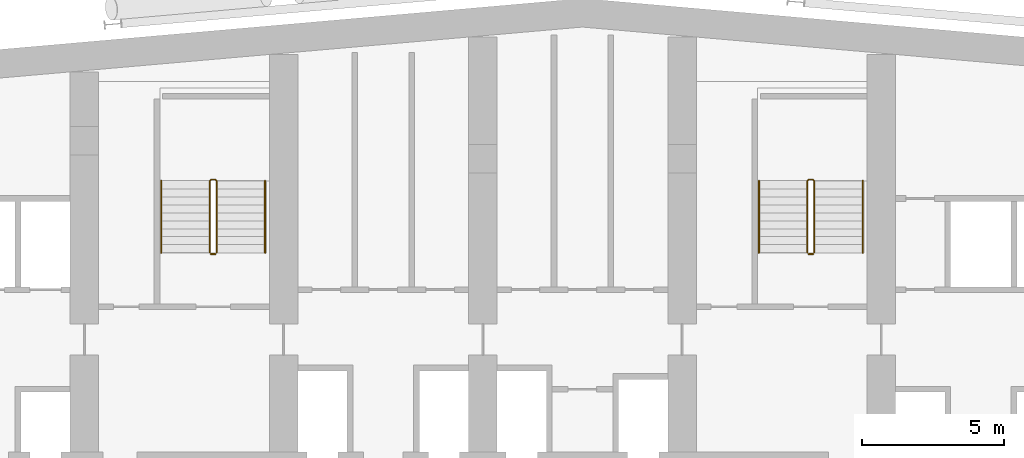
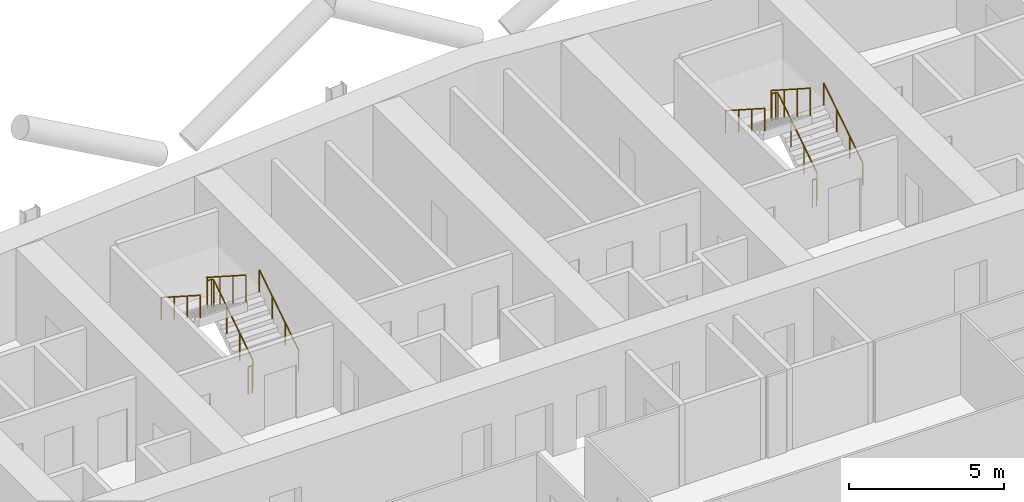
# One storey, part 26 of 27: 8 railings.
"""IFC4 building model written with IfcOpenShell, lengths in metres."""

from ifc_helpers import new_model, si_unit, direction, frame, origin, origin_2d, place, context, subcontext, project, spatial, circle, extrude, material, type_object, element, save


model = new_model("IFC4")

# Units and contexts
model_context = context("Model", 3, precision=1e-05, world=origin(), true_north=direction((0.0, 1.0)))
body_context = subcontext(model_context, "Body", "Model", "MODEL_VIEW")
ifc_project = project(units=[si_unit("LENGTHUNIT", "METRE"), si_unit("AREAUNIT", "SQUARE_METRE"), si_unit("VOLUMEUNIT", "CUBIC_METRE"), si_unit("PLANEANGLEUNIT", "RADIAN"), si_unit("MASSUNIT", "GRAM", prefix="KILO")], contexts=[model_context])

# Site, building, storey
site_placement = place(None, origin())
site = spatial("IfcSite", under=ifc_project, at=site_placement, CompositionType="ELEMENT")
building_placement = place(site_placement, origin())
building = spatial("IfcBuilding", under=site, at=building_placement, Name="Wharfspan Tower", CompositionType="ELEMENT")
storey_placement = place(building_placement, frame((0.0, 0.0, 118.300049)))
storey = spatial("IfcBuildingStorey", under=building, at=storey_placement, Name="L27", CompositionType="ELEMENT", Elevation=118.300049)

# Railings
ifc_material = material(Name="Steel S355J2", Category="steel")
railing_type_1 = type_object("IfcRailingType", Name="Stair guard 1100", PredefinedType="GUARDRAIL", material=ifc_material)
railing_1_placement = place(storey_placement, frame((27.649902, 42.0, 0.179932)))
element("IfcRailing", 1, at=railing_1_placement, inside=storey, type_object=railing_type_1, Name="L27 ST1 stair guard 1", PredefinedType="GUARDRAIL", context=body_context, shape_type="SweptSolid", body=[
    extrude(circle(Radius=0.023926, at=origin_2d()), frame((0.0, 0.0, 1.076172), z_axis=(0.0, 0.841163, 0.540782), x_axis=(-1.0, 0.0, 0.0)), (0.0, 0.0, 1.0), 2.99585),
    extrude(circle(Radius=0.023926, at=origin_2d()), frame((0.0, 2.52002, 2.696289), z_axis=(-0.705376, 0.708834, 0.0), x_axis=(-0.708834, -0.705376, 0.0)), (0.0, 0.0, 1.0), 0.070557),
    extrude(circle(Radius=0.023926, at=origin_2d()), frame((-0.049805, 2.570068, 2.696289), z_axis=(-1.0, 0.0, 0.0), x_axis=(0.0, -1.0, 0.0)), (0.0, 0.0, 1.0), 0.150146),
    extrude(circle(Radius=0.023926, at=origin_2d()), frame((-0.199951, 2.570068, 2.696289), z_axis=(-0.258848, -0.258848, 0.930589), x_axis=(0.707107, -0.707107, 0.0)), (0.0, 0.0, 1.0), 0.193359),
    extrude(circle(Radius=0.023926, at=origin_2d()), frame((-0.25, 2.52002, 2.875977), z_axis=(0.0, -0.8412, 0.540725), x_axis=(1.0, 0.0, 0.0)), (0.0, 0.0, 1.0), 2.99585),
    extrude(circle(Radius=0.020996, at=origin_2d()), origin(), (0.0, 0.0, 1.0), 1.052002),
    extrude(circle(Radius=0.020996, at=origin_2d()), frame((0.0, 0.840088, 0.540039)), (0.0, 0.0, 1.0), 1.052002),
    extrude(circle(Radius=0.020996, at=origin_2d()), frame((0.0, 1.679932, 1.080078)), (0.0, 0.0, 1.0), 1.052002),
    extrude(circle(Radius=0.020996, at=origin_2d()), frame((0.0, 2.52002, 1.620117)), (0.0, 0.0, 1.0), 1.052002),
    extrude(circle(Radius=0.020996, at=origin_2d()), frame((-0.049805, 2.570068, 1.620117)), (0.0, 0.0, 1.0), 1.052002),
    extrude(circle(Radius=0.020996, at=origin_2d()), frame((-0.199951, 2.570068, 1.620117)), (0.0, 0.0, 1.0), 1.052002),
    extrude(circle(Radius=0.020996, at=origin_2d()), frame((-0.25, 2.52002, 1.800049)), (0.0, 0.0, 1.0), 1.052002),
    extrude(circle(Radius=0.020996, at=origin_2d()), frame((-0.25, 1.679932, 2.340088)), (0.0, 0.0, 1.0), 1.052002),
    extrude(circle(Radius=0.020996, at=origin_2d()), frame((-0.25, 0.840088, 2.879883)), (0.0, 0.0, 1.0), 1.052002),
    extrude(circle(Radius=0.020996, at=origin_2d()), frame((-0.25, 0.0, 3.419922)), (0.0, 0.0, 1.0), 1.052002),
])
railing_2_placement = place(storey_placement, frame((27.600098, 41.949951, 0.0)))
element("IfcRailing", 2, at=railing_2_placement, inside=storey, type_object=railing_type_1, Name="L27 ST1 stair guard 2", PredefinedType="GUARDRAIL", context=body_context, shape_type="SweptSolid", body=[
    extrude(circle(Radius=0.023926, at=origin_2d()), frame((0.0, 0.0, 1.076172), z_axis=(-1.0, 0.0, 0.0), x_axis=(0.0, -1.0, 0.0)), (0.0, 0.0, 1.0), 0.150146),
    extrude(circle(Radius=0.020996, at=origin_2d()), origin(), (0.0, 0.0, 1.0), 1.052002),
    extrude(circle(Radius=0.020996, at=origin_2d()), frame((-0.150146, 0.0, 0.0)), (0.0, 0.0, 1.0), 1.052002),
])
railing_3_placement = place(storey_placement, frame((48.649902, 42.0, 0.179932)))
element("IfcRailing", 3, at=railing_3_placement, inside=storey, type_object=railing_type_1, Name="L27 ST2 stair guard 1", PredefinedType="GUARDRAIL", context=body_context, shape_type="SweptSolid", body=[
    extrude(circle(Radius=0.023926, at=origin_2d()), frame((0.0, 0.0, 1.076172), z_axis=(0.0, 0.841163, 0.540782), x_axis=(-1.0, 0.0, 0.0)), (0.0, 0.0, 1.0), 2.99585),
    extrude(circle(Radius=0.023926, at=origin_2d()), frame((0.0, 2.52002, 2.696289), z_axis=(-0.705376, 0.708834, 0.0), x_axis=(-0.708834, -0.705376, 0.0)), (0.0, 0.0, 1.0), 0.070557),
    extrude(circle(Radius=0.023926, at=origin_2d()), frame((-0.049805, 2.570068, 2.696289), z_axis=(-1.0, 0.0, 0.0), x_axis=(0.0, -1.0, 0.0)), (0.0, 0.0, 1.0), 0.150146),
    extrude(circle(Radius=0.023926, at=origin_2d()), frame((-0.199951, 2.570068, 2.696289), z_axis=(-0.258848, -0.258848, 0.930589), x_axis=(0.707107, -0.707107, 0.0)), (0.0, 0.0, 1.0), 0.193359),
    extrude(circle(Radius=0.023926, at=origin_2d()), frame((-0.25, 2.52002, 2.875977), z_axis=(0.0, -0.8412, 0.540725), x_axis=(1.0, 0.0, 0.0)), (0.0, 0.0, 1.0), 2.99585),
    extrude(circle(Radius=0.020996, at=origin_2d()), origin(), (0.0, 0.0, 1.0), 1.052002),
    extrude(circle(Radius=0.020996, at=origin_2d()), frame((0.0, 0.840088, 0.540039)), (0.0, 0.0, 1.0), 1.052002),
    extrude(circle(Radius=0.020996, at=origin_2d()), frame((0.0, 1.679932, 1.080078)), (0.0, 0.0, 1.0), 1.052002),
    extrude(circle(Radius=0.020996, at=origin_2d()), frame((0.0, 2.52002, 1.620117)), (0.0, 0.0, 1.0), 1.052002),
    extrude(circle(Radius=0.020996, at=origin_2d()), frame((-0.049805, 2.570068, 1.620117)), (0.0, 0.0, 1.0), 1.052002),
    extrude(circle(Radius=0.020996, at=origin_2d()), frame((-0.199951, 2.570068, 1.620117)), (0.0, 0.0, 1.0), 1.052002),
    extrude(circle(Radius=0.020996, at=origin_2d()), frame((-0.25, 2.52002, 1.800049)), (0.0, 0.0, 1.0), 1.052002),
    extrude(circle(Radius=0.020996, at=origin_2d()), frame((-0.25, 1.679932, 2.340088)), (0.0, 0.0, 1.0), 1.052002),
    extrude(circle(Radius=0.020996, at=origin_2d()), frame((-0.25, 0.840088, 2.879883)), (0.0, 0.0, 1.0), 1.052002),
    extrude(circle(Radius=0.020996, at=origin_2d()), frame((-0.25, 0.0, 3.419922)), (0.0, 0.0, 1.0), 1.052002),
])
railing_4_placement = place(storey_placement, frame((48.600098, 41.949951, 0.0)))
element("IfcRailing", 4, at=railing_4_placement, inside=storey, type_object=railing_type_1, Name="L27 ST2 stair guard 2", PredefinedType="GUARDRAIL", context=body_context, shape_type="SweptSolid", body=[
    extrude(circle(Radius=0.023926, at=origin_2d()), frame((0.0, 0.0, 1.076172), z_axis=(-1.0, 0.0, 0.0), x_axis=(0.0, -1.0, 0.0)), (0.0, 0.0, 1.0), 0.150146),
    extrude(circle(Radius=0.020996, at=origin_2d()), origin(), (0.0, 0.0, 1.0), 1.052002),
    extrude(circle(Radius=0.020996, at=origin_2d()), frame((-0.150146, 0.0, 0.0)), (0.0, 0.0, 1.0), 1.052002),
])
railing_type_2 = type_object("IfcRailingType", Name="Stair handrail 900", PredefinedType="HANDRAIL", material=ifc_material)
railing_5_placement = place(storey_placement, frame((29.350098, 42.0, 0.179932)))
element("IfcRailing", 5, at=railing_5_placement, inside=storey, type_object=railing_type_2, Name="L27 ST1 stair handrail 1", PredefinedType="HANDRAIL", context=body_context, shape_type="SweptSolid", body=[
    extrude(circle(Radius=0.023926, at=origin_2d()), frame((0.0, 0.0, 0.875977), z_axis=(0.0, 0.841163, 0.540782), x_axis=(-1.0, 0.0, 0.0)), (0.0, 0.0, 1.0), 2.99585),
    extrude(circle(Radius=0.020996, at=origin_2d()), origin(), (0.0, 0.0, 1.0), 0.851807),
    extrude(circle(Radius=0.020996, at=origin_2d()), frame((0.0, 0.840088, 0.540039)), (0.0, 0.0, 1.0), 0.851807),
    extrude(circle(Radius=0.020996, at=origin_2d()), frame((0.0, 1.679932, 1.080078)), (0.0, 0.0, 1.0), 0.851807),
    extrude(circle(Radius=0.020996, at=origin_2d()), frame((0.0, 2.52002, 1.620117)), (0.0, 0.0, 1.0), 0.851807),
])
railing_6_placement = place(storey_placement, frame((25.699951, 44.52002, 1.97998)))
element("IfcRailing", 6, at=railing_6_placement, inside=storey, type_object=railing_type_2, Name="L27 ST1 stair handrail 2", PredefinedType="HANDRAIL", context=body_context, shape_type="SweptSolid", body=[
    extrude(circle(Radius=0.023926, at=origin_2d()), frame((0.0, 0.0, 0.875977), z_axis=(0.0, -0.8412, 0.540725), x_axis=(1.0, 0.0, 0.0)), (0.0, 0.0, 1.0), 2.99585),
    extrude(circle(Radius=0.020996, at=origin_2d()), origin(), (0.0, 0.0, 1.0), 0.851807),
    extrude(circle(Radius=0.020996, at=origin_2d()), frame((0.0, -0.840088, 0.540039)), (0.0, 0.0, 1.0), 0.851807),
    extrude(circle(Radius=0.020996, at=origin_2d()), frame((0.0, -1.679932, 1.079834)), (0.0, 0.0, 1.0), 0.851807),
    extrude(circle(Radius=0.020996, at=origin_2d()), frame((0.0, -2.52002, 1.619873)), (0.0, 0.0, 1.0), 0.851807),
])
railing_7_placement = place(storey_placement, frame((50.350098, 42.0, 0.179932)))
element("IfcRailing", 7, at=railing_7_placement, inside=storey, type_object=railing_type_2, Name="L27 ST2 stair handrail 1", PredefinedType="HANDRAIL", context=body_context, shape_type="SweptSolid", body=[
    extrude(circle(Radius=0.023926, at=origin_2d()), frame((0.0, 0.0, 0.875977), z_axis=(0.0, 0.841163, 0.540782), x_axis=(-1.0, 0.0, 0.0)), (0.0, 0.0, 1.0), 2.99585),
    extrude(circle(Radius=0.020996, at=origin_2d()), origin(), (0.0, 0.0, 1.0), 0.851807),
    extrude(circle(Radius=0.020996, at=origin_2d()), frame((0.0, 0.840088, 0.540039)), (0.0, 0.0, 1.0), 0.851807),
    extrude(circle(Radius=0.020996, at=origin_2d()), frame((0.0, 1.679932, 1.080078)), (0.0, 0.0, 1.0), 0.851807),
    extrude(circle(Radius=0.020996, at=origin_2d()), frame((0.0, 2.52002, 1.620117)), (0.0, 0.0, 1.0), 0.851807),
])
railing_8_placement = place(storey_placement, frame((46.699951, 44.52002, 1.97998)))
element("IfcRailing", 8, at=railing_8_placement, inside=storey, type_object=railing_type_2, Name="L27 ST2 stair handrail 2", PredefinedType="HANDRAIL", context=body_context, shape_type="SweptSolid", body=[
    extrude(circle(Radius=0.023926, at=origin_2d()), frame((0.0, 0.0, 0.875977), z_axis=(0.0, -0.8412, 0.540725), x_axis=(1.0, 0.0, 0.0)), (0.0, 0.0, 1.0), 2.99585),
    extrude(circle(Radius=0.020996, at=origin_2d()), origin(), (0.0, 0.0, 1.0), 0.851807),
    extrude(circle(Radius=0.020996, at=origin_2d()), frame((0.0, -0.840088, 0.540039)), (0.0, 0.0, 1.0), 0.851807),
    extrude(circle(Radius=0.020996, at=origin_2d()), frame((0.0, -1.679932, 1.079834)), (0.0, 0.0, 1.0), 0.851807),
    extrude(circle(Radius=0.020996, at=origin_2d()), frame((0.0, -2.52002, 1.619873)), (0.0, 0.0, 1.0), 0.851807),
])

save(model, "model.ifc")
